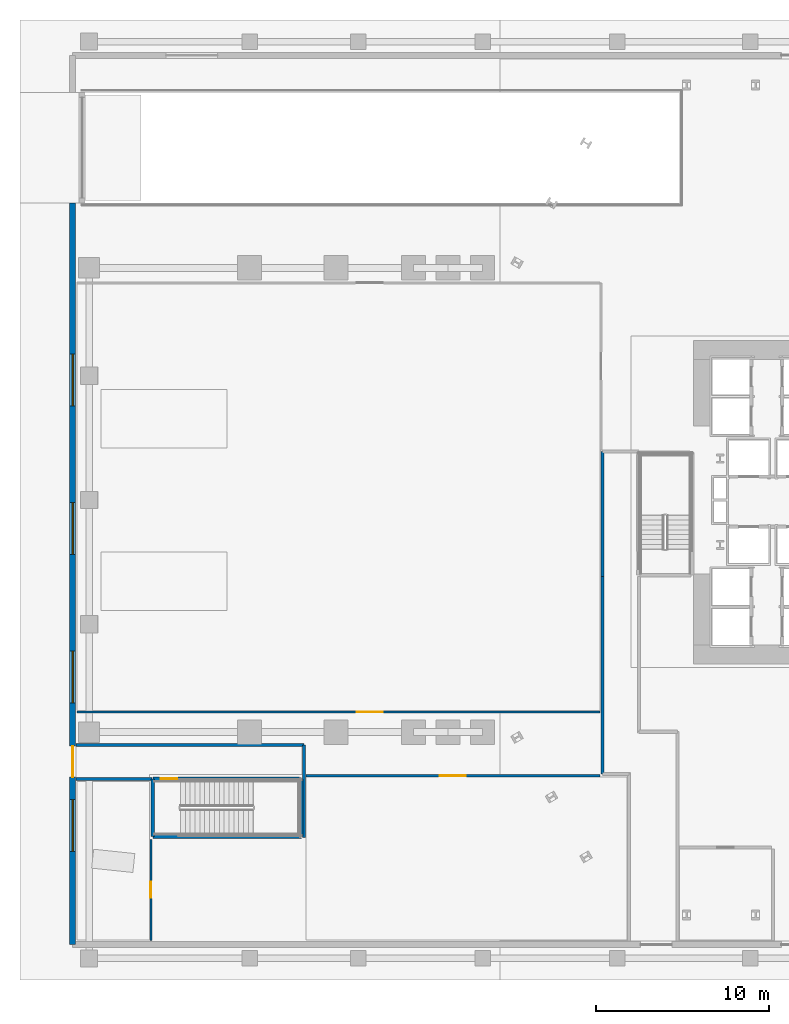
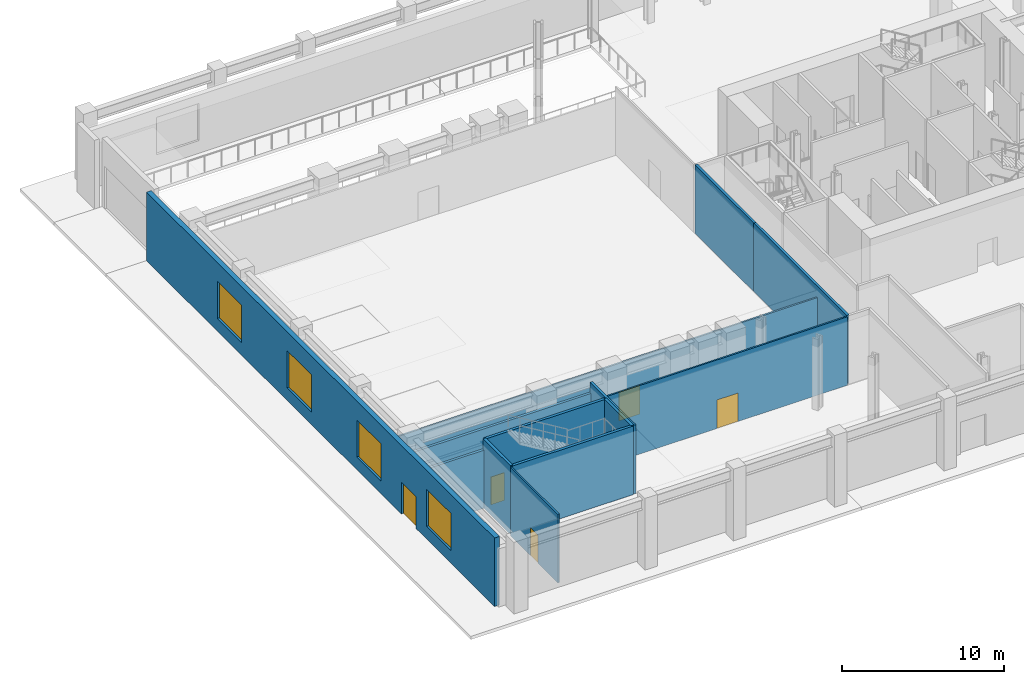
# One storey, part 3 of 18: 13 walls, 5 doors, 4 windows, 9 openings.
"""IFC4 building model written with IfcOpenShell, lengths in metres."""

from ifc_helpers import new_model, si_unit, direction, frame, frame_2d, origin, place, context, subcontext, project, spatial, rectangle, extrude, material, layer, layer_set, type_object, element, fill, save


model = new_model("IFC4")

# Units and contexts
model_context = context("Model", 3, precision=1e-05, world=origin(), true_north=direction((0.0, 1.0)))
body_context = subcontext(model_context, "Body", "Model", "MODEL_VIEW")
ifc_project = project(units=[si_unit("LENGTHUNIT", "METRE"), si_unit("AREAUNIT", "SQUARE_METRE"), si_unit("VOLUMEUNIT", "CUBIC_METRE"), si_unit("PLANEANGLEUNIT", "RADIAN"), si_unit("MASSUNIT", "GRAM", prefix="KILO")], contexts=[model_context])

# Site, building, storey
site_placement = place(None, origin())
site = spatial("IfcSite", under=ifc_project, at=site_placement, CompositionType="ELEMENT")
building_placement = place(site_placement, origin())
building = spatial("IfcBuilding", under=site, at=building_placement, Name="Valkerne Bourse Tower", CompositionType="ELEMENT")
storey_placement = place(building_placement, origin())
storey = spatial("IfcBuildingStorey", under=building, at=storey_placement, Name="L00", CompositionType="ELEMENT", Elevation=0.0)

# Wall, opening, door
ifc_material_1 = material(Name="Gypsum Board Steel-Stud Partition", Category="steel")
ifc_layer_1 = layer(ifc_material_1, 0.117919921875)
ifc_layer_set_1 = layer_set([ifc_layer_1], Name="Gypsum Board Steel-Stud Partition")
wall_type_1 = type_object("IfcWallType", Name="W-CORR-140", PredefinedType="PARTITIONING", material=ifc_layer_set_1)
wall_1_placement = place(storey_placement, frame((1.5, 14.719970703125, 0.0), z_axis=(0.0, 0.0, 1.0), x_axis=(1.0, 0.0, 0.0)))
wall_1 = element("IfcWall", 1, at=wall_1_placement, inside=storey, type_object=wall_type_1, Name="L00 Exchange Hall South Wall", PredefinedType="PARTITIONING", context=body_context, shape_type="SweptSolid", body=[
    extrude(rectangle(XDim=30.300048828125, YDim=0.117919921875, at=frame_2d((15.14990234375, 0.0))), origin(), (0.0, 0.0, 1.0), 4.364990234375),
])
opening_1_placement = place(wall_1_placement, frame((16.199951171875, 0.0, 0.0)))
opening_1 = element("IfcOpeningElement", 2, at=opening_1_placement, cuts=wall_1, Name="Opening D-CR-1500", PredefinedType="OPENING", context=body_context, shape_type="SweptSolid", body=[
    extrude(rectangle(XDim=1.5, YDim=2.14990234375, at=frame_2d((0.75, 1.074951171875))), frame((0.0, 0.06884765625, 0.0), z_axis=(0.0, -1.0, 0.0), x_axis=(1.0, 0.0, 0.0)), (0.0, 0.0, 1.0), 0.137939453125),
])
ifc_material_2 = material(Name="Galvanised Painted Steel", Category="steel")
door_type_1 = type_object("IfcDoorType", Name="DR-CORR-1500", OperationType="DOUBLE_DOOR_SINGLE_SWING", PredefinedType="DOOR", material=ifc_material_2)
door_1_placement = place(opening_1_placement, origin())
door_1 = element("IfcDoor", 3, at=door_1_placement, inside=storey, type_object=door_type_1, Name="L00 Exchange Hall South Door", OperationType="DOUBLE_DOOR_SINGLE_SWING", OverallHeight=2.14990234375, OverallWidth=1.5, PredefinedType="DOOR", context=body_context, shape_type="SweptSolid", body=[
    extrude(rectangle(XDim=1.5, YDim=2.14990234375, at=frame_2d((0.75, 1.074951171875))), frame((0.0, 0.02490234375, 0.0), z_axis=(0.0, -1.0, 0.0), x_axis=(1.0, 0.0, 0.0)), (0.0, 0.0, 1.0), 0.050048828125),
])
fill(opening_1, door_1)

wall_2_placement = place(storey_placement, frame((5.780029296875, 1.5, 0.0), z_axis=(0.0, 0.0, 1.0), x_axis=(0.0, 1.0, 0.0)))
wall_2 = element("IfcWall", 4, at=wall_2_placement, inside=storey, type_object=wall_type_1, Name="L00 Visitor Accreditation Office Wall", PredefinedType="PARTITIONING", context=body_context, shape_type="SweptSolid", body=[
    extrude(rectangle(XDim=5.85009765625, YDim=0.117919921875, at=frame_2d((2.925048828125, 0.0))), origin(), (0.0, 0.0, 1.0), 5.159912109375),
])
opening_2_placement = place(wall_2_placement, frame((2.449951171875, 0.0, 0.0)))
opening_2 = element("IfcOpeningElement", 5, at=opening_2_placement, cuts=wall_2, Name="Opening D-OF-950", PredefinedType="OPENING", context=body_context, shape_type="SweptSolid", body=[
    extrude(rectangle(XDim=0.949951171875, YDim=2.10009765625, at=frame_2d((0.47509765625, 1.050048828125))), frame((0.0, 0.06884765625, 0.0), z_axis=(0.0, -1.0, 0.0), x_axis=(1.0, 0.0, 0.0)), (0.0, 0.0, 1.0), 0.137939453125),
])
ifc_material_3 = material(Name="Architectural White Oak Timber", Category="wood")
door_type_2 = type_object("IfcDoorType", Name="DR-OFF-950", OperationType="NOTDEFINED", PredefinedType="DOOR", material=ifc_material_3)
door_2_placement = place(opening_2_placement, origin())
door_2 = element("IfcDoor", 6, at=door_2_placement, inside=storey, type_object=door_type_2, Name="L00 Accreditation Office Door", OperationType="SINGLE_SWING_RIGHT", OverallHeight=2.10009765625, OverallWidth=0.949951171875, PredefinedType="DOOR", context=body_context, shape_type="SweptSolid", body=[
    extrude(rectangle(XDim=0.949951171875, YDim=2.10009765625, at=frame_2d((0.47509765625, 1.050048828125))), frame((0.0, 0.02490234375, 0.0), z_axis=(0.0, -1.0, 0.0), x_axis=(1.0, 0.0, 0.0)), (0.0, 0.0, 1.0), 0.050048828125),
])
fill(opening_2, door_2)

wall_3_placement = place(storey_placement, frame((14.75, 11.030029296875, 0.0), z_axis=(0.0, 0.0, 1.0), x_axis=(1.0, 0.0, 0.0)))
wall_3 = element("IfcWall", 7, at=wall_3_placement, inside=storey, type_object=wall_type_1, Name="L00 Bourse Espresso & Market Kitchen Cafe Wall", PredefinedType="PARTITIONING", context=body_context, shape_type="SweptSolid", body=[
    extrude(rectangle(XDim=17.050048828125, YDim=0.117919921875, at=frame_2d((8.52490234375, 0.0))), origin(), (0.0, 0.0, 1.0), 5.159912109375),
])
opening_3_placement = place(wall_3_placement, frame((7.77490234375, 0.0, 0.0)))
opening_3 = element("IfcOpeningElement", 8, at=opening_3_placement, cuts=wall_3, Name="Opening D-CR-1500", PredefinedType="OPENING", context=body_context, shape_type="SweptSolid", body=[
    extrude(rectangle(XDim=1.5, YDim=2.14990234375, at=frame_2d((0.75, 1.074951171875))), frame((0.0, 0.06884765625, 0.0), z_axis=(0.0, -1.0, 0.0), x_axis=(1.0, 0.0, 0.0)), (0.0, 0.0, 1.0), 0.137939453125),
])
door_3_placement = place(opening_3_placement, origin())
door_3 = element("IfcDoor", 9, at=door_3_placement, inside=storey, type_object=door_type_1, Name="L00 Bourse Cafe Door", OperationType="DOUBLE_DOOR_SINGLE_SWING", OverallHeight=2.14990234375, OverallWidth=1.5, PredefinedType="DOOR", context=body_context, shape_type="SweptSolid", body=[
    extrude(rectangle(XDim=1.5, YDim=2.14990234375, at=frame_2d((0.75, 1.074951171875))), frame((0.0, 0.02490234375, 0.0), z_axis=(0.0, -1.0, 0.0), x_axis=(1.0, 0.0, 0.0)), (0.0, 0.0, 1.0), 0.050048828125),
])
fill(opening_3, door_3)

# Wall, openings, door, windows
ifc_material_4 = material(Name="Indiana Limestone Cladding", Category="masonry")
ifc_layer_2 = layer(ifc_material_4, 0.35009765625)
ifc_layer_set_2 = layer_set([ifc_layer_2], Name="Indiana Limestone Cladding")
wall_type_2 = type_object("IfcWallType", Name="W-EXT-LIMESTONE-350", PredefinedType="STANDARD", material=ifc_layer_set_2)
wall_4_placement = place(storey_placement, frame((1.25, 1.25, 0.0), z_axis=(0.0, 0.0, 1.0), x_axis=(0.0, 1.0, 0.0)))
wall_4 = element("IfcWall", 10, at=wall_4_placement, inside=storey, type_object=wall_type_2, Name="L00 Podium Exterior Wall WEST-S", PredefinedType="STANDARD", context=body_context, shape_type="SweptSolid", body=[
    extrude(rectangle(XDim=42.949951171875, YDim=0.35009765625, at=frame_2d((21.47509765625, 0.0))), origin(), (0.0, 0.0, 1.0), 5.159912109375),
])
opening_4_placement = place(wall_4_placement, frame((9.699951171875, 0.0, 0.0)))
opening_4 = element("IfcOpeningElement", 11, at=opening_4_placement, cuts=wall_4, Name="Opening EX-1800", PredefinedType="OPENING", context=body_context, shape_type="SweptSolid", body=[
    extrude(rectangle(XDim=1.800048828125, YDim=2.39990234375, at=frame_2d((0.89990234375, 1.199951171875))), frame((0.0, 0.18505859375, 0.0), z_axis=(0.0, -1.0, 0.0), x_axis=(1.0, 0.0, 0.0)), (0.0, 0.0, 1.0), 0.3701171875),
])
opening_5_placement = place(wall_4_placement, frame((5.39990234375, 0.0, 0.949951171875)))
opening_5 = element("IfcOpeningElement", 12, at=opening_5_placement, cuts=wall_4, Name="Opening WN-01", PredefinedType="OPENING", context=body_context, shape_type="SweptSolid", body=[
    extrude(rectangle(XDim=3.0, YDim=2.800048828125, at=frame_2d((1.5, 1.39990234375))), frame((0.0, 0.18505859375, 0.0), z_axis=(0.0, -1.0, 0.0), x_axis=(1.0, 0.0, 0.0)), (0.0, 0.0, 1.0), 0.3701171875),
])
opening_6_placement = place(wall_4_placement, frame((14.0, 0.0, 0.949951171875)))
opening_6 = element("IfcOpeningElement", 13, at=opening_6_placement, cuts=wall_4, Name="Opening WN-01", PredefinedType="OPENING", context=body_context, shape_type="SweptSolid", body=[
    extrude(rectangle(XDim=3.0, YDim=2.800048828125, at=frame_2d((1.5, 1.39990234375))), frame((0.0, 0.18505859375, 0.0), z_axis=(0.0, -1.0, 0.0), x_axis=(1.0, 0.0, 0.0)), (0.0, 0.0, 1.0), 0.3701171875),
])
opening_7_placement = place(wall_4_placement, frame((22.60009765625, 0.0, 0.949951171875)))
opening_7 = element("IfcOpeningElement", 14, at=opening_7_placement, cuts=wall_4, Name="Opening WN-01", PredefinedType="OPENING", context=body_context, shape_type="SweptSolid", body=[
    extrude(rectangle(XDim=3.0, YDim=2.800048828125, at=frame_2d((1.5, 1.39990234375))), frame((0.0, 0.18505859375, 0.0), z_axis=(0.0, -1.0, 0.0), x_axis=(1.0, 0.0, 0.0)), (0.0, 0.0, 1.0), 0.3701171875),
])
opening_8_placement = place(wall_4_placement, frame((31.199951171875, 0.0, 0.949951171875)))
opening_8 = element("IfcOpeningElement", 15, at=opening_8_placement, cuts=wall_4, Name="Opening WN-01", PredefinedType="OPENING", context=body_context, shape_type="SweptSolid", body=[
    extrude(rectangle(XDim=3.0, YDim=2.800048828125, at=frame_2d((1.5, 1.39990234375))), frame((0.0, 0.18505859375, 0.0), z_axis=(0.0, -1.0, 0.0), x_axis=(1.0, 0.0, 0.0)), (0.0, 0.0, 1.0), 0.3701171875),
])
ifc_material_5 = material(Name="Bronze Anodised Aluminium AA 6063-T6", Category="aluminium")
door_type_3 = type_object("IfcDoorType", Name="DR-EXT-EXIT-1800", OperationType="DOUBLE_SWING_LEFT", PredefinedType="DOOR", material=ifc_material_5)
door_4_placement = place(opening_4_placement, origin())
door_4 = element("IfcDoor", 16, at=door_4_placement, inside=storey, type_object=door_type_3, Name="ST-P1 Protected Exit Discharge Street Door EX-04", OperationType="DOUBLE_SWING_LEFT", OverallHeight=2.39990234375, OverallWidth=1.800048828125, PredefinedType="DOOR", context=body_context, shape_type="SweptSolid", body=[
    extrude(rectangle(XDim=1.800048828125, YDim=2.39990234375, at=frame_2d((0.89990234375, 1.199951171875))), frame((0.0, 0.02490234375, 0.0), z_axis=(0.0, -1.0, 0.0), x_axis=(1.0, 0.0, 0.0)), (0.0, 0.0, 1.0), 0.050048828125),
])
fill(opening_4, door_4)
ifc_material_6 = material(Name="Glass IGU Low-E Double Glazed", Category="glass")
window_type = type_object("IfcWindowType", Name="WIN-POD-3000X2800", PartitioningType="SINGLE_PANEL", PredefinedType="WINDOW", material=ifc_material_6)
window_1_placement = place(opening_5_placement, origin())
window_1 = element("IfcWindow", 17, at=window_1_placement, inside=storey, type_object=window_type, Name="L00 Podium Low-E Window 01", OverallHeight=2.800048828125, OverallWidth=3.0, PartitioningType="SINGLE_PANEL", PredefinedType="WINDOW", context=body_context, shape_type="SweptSolid", body=[
    extrude(rectangle(XDim=3.0, YDim=2.800048828125, at=frame_2d((1.5, 1.39990234375))), frame((0.0, 0.030029296875, 0.0), z_axis=(0.0, -1.0, 0.0), x_axis=(1.0, 0.0, 0.0)), (0.0, 0.0, 1.0), 0.06005859375),
])
fill(opening_5, window_1)
window_2_placement = place(opening_6_placement, origin())
window_2 = element("IfcWindow", 18, at=window_2_placement, inside=storey, type_object=window_type, Name="L00 Podium Low-E Window 02", OverallHeight=2.800048828125, OverallWidth=3.0, PartitioningType="SINGLE_PANEL", PredefinedType="WINDOW", context=body_context, shape_type="SweptSolid", body=[
    extrude(rectangle(XDim=3.0, YDim=2.800048828125, at=frame_2d((1.5, 1.39990234375))), frame((0.0, 0.030029296875, 0.0), z_axis=(0.0, -1.0, 0.0), x_axis=(1.0, 0.0, 0.0)), (0.0, 0.0, 1.0), 0.06005859375),
])
fill(opening_6, window_2)
window_3_placement = place(opening_7_placement, origin())
window_3 = element("IfcWindow", 19, at=window_3_placement, inside=storey, type_object=window_type, Name="L00 Podium Low-E Window 03", OverallHeight=2.800048828125, OverallWidth=3.0, PartitioningType="SINGLE_PANEL", PredefinedType="WINDOW", context=body_context, shape_type="SweptSolid", body=[
    extrude(rectangle(XDim=3.0, YDim=2.800048828125, at=frame_2d((1.5, 1.39990234375))), frame((0.0, 0.030029296875, 0.0), z_axis=(0.0, -1.0, 0.0), x_axis=(1.0, 0.0, 0.0)), (0.0, 0.0, 1.0), 0.06005859375),
])
fill(opening_7, window_3)
window_4_placement = place(opening_8_placement, origin())
window_4 = element("IfcWindow", 20, at=window_4_placement, inside=storey, type_object=window_type, Name="L00 Podium Low-E Window 04", OverallHeight=2.800048828125, OverallWidth=3.0, PartitioningType="SINGLE_PANEL", PredefinedType="WINDOW", context=body_context, shape_type="SweptSolid", body=[
    extrude(rectangle(XDim=3.0, YDim=2.800048828125, at=frame_2d((1.5, 1.39990234375))), frame((0.0, 0.030029296875, 0.0), z_axis=(0.0, -1.0, 0.0), x_axis=(1.0, 0.0, 0.0)), (0.0, 0.0, 1.0), 0.06005859375),
])
fill(opening_8, window_4)

# Walls
ifc_material_7 = material(Name="Gypsum Fire-Rated Shaftwall", Category="gypsum")
ifc_layer_3 = layer(ifc_material_7, 0.179931640625)
ifc_layer_set_3 = layer_set([ifc_layer_3], Name="Gypsum Fire-Rated Shaftwall")
wall_type_3 = type_object("IfcWallType", Name="W-FSAE-180", PredefinedType="PARTITIONING", material=ifc_layer_set_3)
wall_5_placement = place(storey_placement, frame((1.449951171875, 12.81005859375, 0.0), z_axis=(0.0, 0.0, 1.0), x_axis=(1.0, 0.0, 0.0)))
element("IfcWall", 21, at=wall_5_placement, inside=storey, type_object=wall_type_3, Name="L00 ST-P1 Exit Passageway North Fire Wall", PredefinedType="PARTITIONING", context=body_context, shape_type="SweptSolid", body=[
    extrude(rectangle(XDim=13.18994140625, YDim=0.179931640625, at=frame_2d((6.594970703125, 0.0))), origin(), (0.0, 0.0, 1.0), 4.364990234375),
])
wall_6_placement = place(storey_placement, frame((14.639892578125, 7.449951171875, 0.0), z_axis=(0.0, 0.0, 1.0), x_axis=(0.0, 1.0, 0.0)))
element("IfcWall", 22, at=wall_6_placement, inside=storey, type_object=wall_type_3, Name="L00 ST-P1 Exit Passageway East Fire Wall", PredefinedType="PARTITIONING", context=body_context, shape_type="SweptSolid", body=[
    extrude(rectangle(XDim=5.360107421875, YDim=0.179931640625, at=frame_2d((2.68017578125, 0.0))), origin(), (0.0, 0.0, 1.0), 5.159912109375),
])
wall_7_placement = place(storey_placement, frame((1.449951171875, 10.830078125, 0.0), z_axis=(0.0, 0.0, 1.0), x_axis=(1.0, 0.0, 0.0)))
element("IfcWall", 23, at=wall_7_placement, inside=storey, type_object=wall_type_3, Name="L00 ST-P1 Exit Passageway South Fire Wall", PredefinedType="PARTITIONING", context=body_context, shape_type="SweptSolid", body=[
    extrude(rectangle(XDim=4.400146484375, YDim=0.179931640625, at=frame_2d((2.2001953125, 0.0))), origin(), (0.0, 0.0, 1.0), 4.364990234375),
])
wall_8_placement = place(storey_placement, frame((31.929931640625, 11.1201171875, 0.0), z_axis=(0.0, 0.0, 1.0), x_axis=(0.0, 1.0, 0.0)))
element("IfcWall", 24, at=wall_8_placement, inside=storey, type_object=wall_type_3, Name="L00 ST-3 Exit Passageway West-S Fire Wall", PredefinedType="PARTITIONING", context=body_context, shape_type="SweptSolid", body=[
    extrude(rectangle(XDim=11.4599609375, YDim=0.179931640625, at=frame_2d((5.72998046875, 0.0))), origin(), (0.0, 0.0, 1.0), 5.159912109375),
])
wall_9_placement = place(storey_placement, frame((31.929931640625, 22.580078125, 0.0), z_axis=(0.0, 0.0, 1.0), x_axis=(0.0, 1.0, 0.0)))
element("IfcWall", 25, at=wall_9_placement, inside=storey, type_object=wall_type_3, Name="L00 ST-3 Exit Passageway West-N Fire Wall", PredefinedType="PARTITIONING", context=body_context, shape_type="SweptSolid", body=[
    extrude(rectangle(XDim=7.239990234375, YDim=0.179931640625, at=frame_2d((3.6201171875, 0.0))), origin(), (0.0, 0.0, 1.0), 5.159912109375),
])
ifc_material_8 = material(Name="Concrete C40/50", Category="concrete")
ifc_layer_4 = layer(ifc_material_8, 0.199951171875)
ifc_layer_set_4 = layer_set([ifc_layer_4], Name="Concrete C40/50")
wall_type_4 = type_object("IfcWallType", Name="W-SHF-200", PredefinedType="SHEAR", material=ifc_layer_set_4)
wall_10_placement = place(storey_placement, frame((5.89990234375, 7.5, 0.0), z_axis=(0.0, 0.0, 1.0), x_axis=(1.0, 0.0, 0.0)))
element("IfcWall", 26, at=wall_10_placement, inside=storey, type_object=wall_type_4, Name="L00 Exit Stair ST-P1 Structural South Wall", PredefinedType="SHEAR", context=body_context, shape_type="SweptSolid", body=[
    extrude(rectangle(XDim=8.60009765625, YDim=0.199951171875, at=frame_2d((4.300048828125, 0.0))), origin(), (0.0, 0.0, 1.0), 5.159912109375),
])

# Wall, opening, door
wall_11_placement = place(storey_placement, frame((5.89990234375, 10.85009765625, 0.0), z_axis=(0.0, 0.0, 1.0), x_axis=(1.0, 0.0, 0.0)))
wall_11 = element("IfcWall", 27, at=wall_11_placement, inside=storey, type_object=wall_type_4, Name="L00 Exit Stair ST-P1 Structural North Wall", PredefinedType="SHEAR", context=body_context, shape_type="SweptSolid", body=[
    extrude(rectangle(XDim=8.60009765625, YDim=0.199951171875, at=frame_2d((4.300048828125, 0.0))), origin(), (0.0, 0.0, 1.0), 5.159912109375),
])
opening_9_placement = place(wall_11_placement, frame((0.449951171875, 0.0, 0.0)))
opening_9 = element("IfcOpeningElement", 28, at=opening_9_placement, cuts=wall_11, Name="Opening D-ST-950", PredefinedType="OPENING", context=body_context, shape_type="SweptSolid", body=[
    extrude(rectangle(XDim=0.949951171875, YDim=2.10009765625, at=frame_2d((0.47509765625, 1.050048828125))), frame((0.0, 0.10986328125, 0.0), z_axis=(0.0, -1.0, 0.0), x_axis=(1.0, 0.0, 0.0)), (0.0, 0.0, 1.0), 0.219970703125),
])
door_type_4 = type_object("IfcDoorType", Name="DR-STAIR-950", OperationType="NOTDEFINED", PredefinedType="DOOR", material=ifc_material_2)
door_5_placement = place(opening_9_placement, origin())
door_5 = element("IfcDoor", 29, at=door_5_placement, inside=storey, type_object=door_type_4, Name="L00 Exit Stair ST-P1 Door", OperationType="SINGLE_SWING_LEFT", OverallHeight=2.10009765625, OverallWidth=0.949951171875, PredefinedType="DOOR", context=body_context, shape_type="SweptSolid", body=[
    extrude(rectangle(XDim=0.949951171875, YDim=2.10009765625, at=frame_2d((0.47509765625, 1.050048828125))), frame((0.0, 0.02490234375, 0.0), z_axis=(0.0, -1.0, 0.0), x_axis=(1.0, 0.0, 0.0)), (0.0, 0.0, 1.0), 0.050048828125),
])
fill(opening_9, door_5)

# Walls
for number, where, z_axis, x_axis, name in (
    (30, (5.89990234375, 7.5, 0.0), (0.0, 0.0, 1.0), (0.0, 1.0, 0.0), "L00 Exit Stair ST-P1 Structural West Wall"),
    (31, (14.5, 7.5, 0.0), (0.0, 0.0, 1.0), (0.0, 1.0, 0.0), "L00 Exit Stair ST-P1 Structural East Wall"),
):
    element("IfcWall", number, at=place(storey_placement, frame(where, z_axis=z_axis, x_axis=x_axis)), inside=storey, type_object=wall_type_4, Name=name, PredefinedType="SHEAR", context=body_context, shape_type="SweptSolid", body=[
        extrude(rectangle(XDim=3.35009765625, YDim=0.199951171875, at=frame_2d((1.675048828125, 0.0))), origin(), (0.0, 0.0, 1.0), 5.159912109375),
    ])

save(model, "model.ifc")
